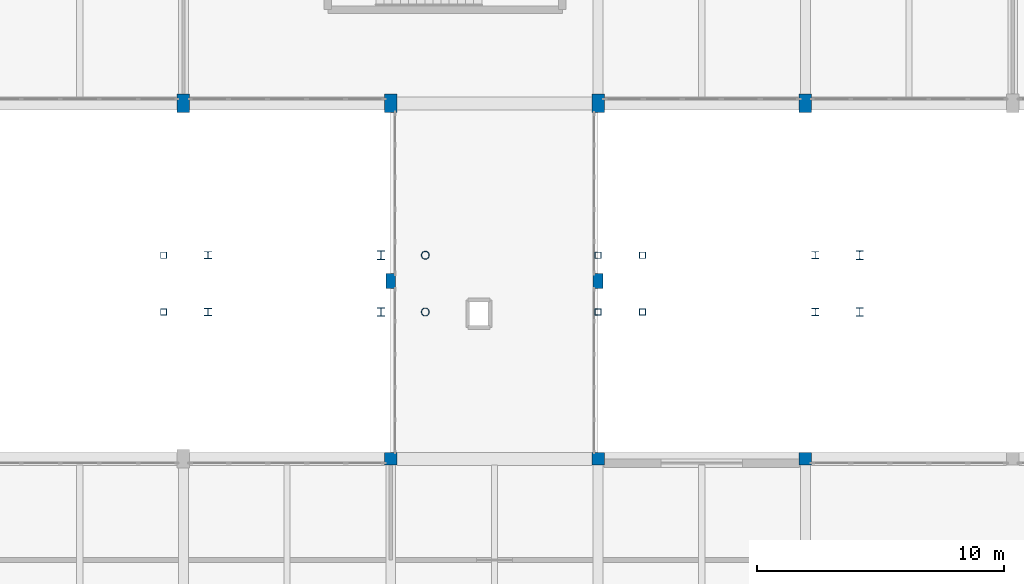
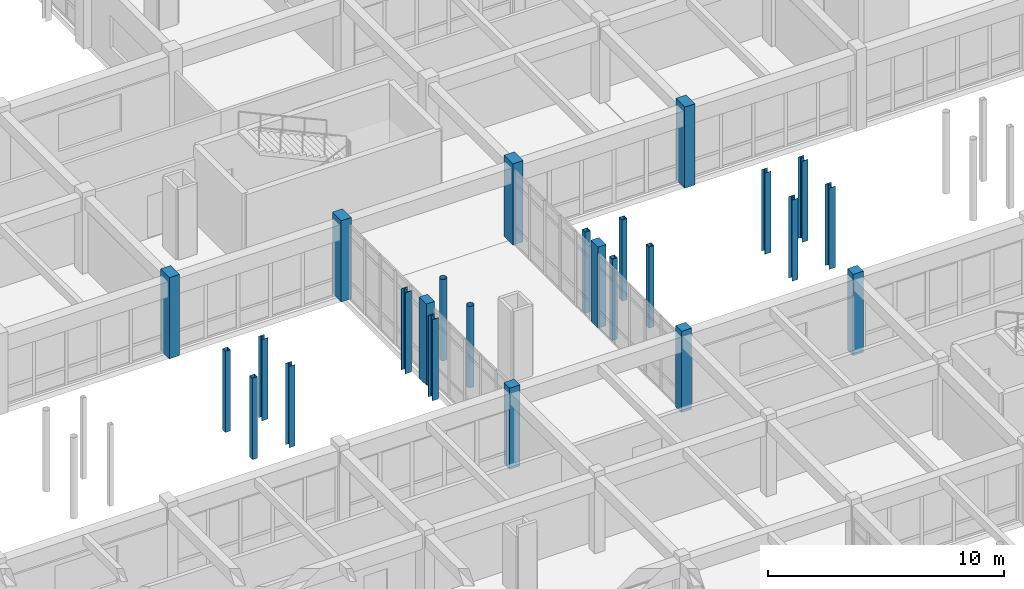
# One storey, part 19 of 147: 25 columns.
"""IFC4 building model written with IfcOpenShell, lengths in metres."""

import ifcopenshell
import ifcopenshell.guid

model = None  # the IFC model being written
_history = None  # IfcOwnerHistory: only IFC2X3 demands one
_inside = {}  # id of a spatial element -> (the spatial element, [elements in it])
_under = {}  # id of a project, library or spatial element -> (it, [spatial elements below it])
_declared = {}  # id of a project -> (the project, [libraries it declares])
_typed = {}  # id of a type object -> (the type object, [elements of that type])
_made_of = {}  # id of a material, layer set ... -> (it, [elements and type objects made of it])


def new_model(schema):
    """Start an empty IFC model of exactly this schema.

    Asked for "IFC4X3", IfcOpenShell would pick the latest addendum, in which some entities
    have other attributes; the version numbers below select the first issue.
    IFC2X3 requires an IfcOwnerHistory on every rooted entity: one is made here for all.
    """
    global model, _history
    if schema == "IFC4X3":
        model = ifcopenshell.file(schema_version=(4, 3, 0, 0))
    else:
        model = ifcopenshell.file(schema=schema)
    _inside.clear()
    _under.clear()
    _declared.clear()
    _typed.clear()
    _made_of.clear()
    _history = None
    if model.schema == "IFC2X3":
        org = make("IfcOrganization", Name="unknown")
        user = make(
            "IfcPersonAndOrganization",
            ThePerson=make("IfcPerson", FamilyName="unknown"),
            TheOrganization=org,
        )
        app = make(
            "IfcApplication",
            ApplicationDeveloper=org,
            Version="unknown",
            ApplicationFullName="unknown",
            ApplicationIdentifier="unknown",
        )
        _history = make(
            "IfcOwnerHistory",
            OwningUser=user,
            OwningApplication=app,
            ChangeAction="ADDED",
            CreationDate=0,
        )
    return model


def make(cls, **values):
    """One entity of the class cls with the attributes given. An attribute that is None is left unset."""
    return model.create_entity(
        cls, **{name: value for name, value in values.items() if value is not None}
    )


def rooted(cls, **values):
    """An entity with a GlobalId (a new one), such as an element, a storey or a relation."""
    return make(cls, GlobalId=ifcopenshell.guid.new(), OwnerHistory=_history, **values)


def si_unit(unit_type, name, prefix=None):
    """IfcSIUnit, for example si_unit("LENGTHUNIT", "METRE", prefix="MILLI")."""
    return make("IfcSIUnit", UnitType=unit_type, Prefix=prefix, Name=name)


def assignment(units):
    """IfcUnitAssignment: the units of a project."""
    return None if units is None else make("IfcUnitAssignment", Units=units)


def point(xyz):
    """IfcCartesianPoint."""
    return None if xyz is None else make("IfcCartesianPoint", Coordinates=xyz)


def direction(xyz):
    """IfcDirection."""
    return None if xyz is None else make("IfcDirection", DirectionRatios=xyz)


def frame(location, z_axis=None, x_axis=None):
    """IfcAxis2Placement3D, a coordinate frame: its origin and axes. An axis left out is left unset."""
    return make(
        "IfcAxis2Placement3D",
        Location=point(location),
        Axis=direction(z_axis),
        RefDirection=direction(x_axis),
    )


def frame_2d(location, x_axis=None):
    """IfcAxis2Placement2D, a coordinate frame in the plane: its origin and x axis."""
    return make(
        "IfcAxis2Placement2D", Location=point(location), RefDirection=direction(x_axis)
    )


def origin():
    """The frame at (0, 0, 0) with its axes left unset."""
    return frame((0.0, 0.0, 0.0))


def origin_2d():
    """The frame at (0, 0) in the plane with its x axis left unset."""
    return frame_2d((0.0, 0.0))


def place(relative_to, where):
    """IfcLocalPlacement: puts the frame where relative to a parent placement (None: the world)."""
    return make(
        "IfcLocalPlacement", PlacementRelTo=relative_to, RelativePlacement=where
    )


def context(
    kind, dimensions, precision=None, world=None, true_north=None, identifier=None
):
    """IfcGeometricRepresentationContext, for example the 3D "Model" context."""
    return make(
        "IfcGeometricRepresentationContext",
        ContextIdentifier=identifier,
        ContextType=kind,
        CoordinateSpaceDimension=dimensions,
        Precision=precision,
        WorldCoordinateSystem=world,
        TrueNorth=true_north,
    )


def subcontext(parent, identifier, kind, view, scale=None):
    """IfcGeometricRepresentationSubContext, for example "Body" below "Model"."""
    return make(
        "IfcGeometricRepresentationSubContext",
        ContextIdentifier=identifier,
        ContextType=kind,
        ParentContext=parent,
        TargetScale=scale,
        TargetView=view,
    )


def project(units=None, contexts=None):
    """IfcProject with its units and contexts."""
    return rooted(
        "IfcProject",
        Name="project",
        RepresentationContexts=contexts,
        UnitsInContext=assignment(units),
    )


def spatial(cls, under=None, at=None, **own):
    """A site, building, storey or space (cls), placed at a placement, below another one or the project."""
    s = rooted(cls, ObjectPlacement=at, **own)
    if under is not None:
        _under.setdefault(under.id(), (under, []))[1].append(s)
    return s


def profile(cls, at=None, kind="AREA", **sizes):
    """A parametric profile (cls). Its sizes go by their IFC names, for example OverallWidth=200.0."""
    return make(cls, ProfileType=kind, Position=at, **sizes)


def rectangle(**sizes):
    """IfcRectangleProfileDef."""
    return profile("IfcRectangleProfileDef", **sizes)


def hollow_rectangle(**sizes):
    """IfcRectangleHollowProfileDef."""
    return profile("IfcRectangleHollowProfileDef", **sizes)


def hollow_circle(**sizes):
    """IfcCircleHollowProfileDef."""
    return profile("IfcCircleHollowProfileDef", **sizes)


def i_section(**sizes):
    """IfcIShapeProfileDef."""
    return profile("IfcIShapeProfileDef", **sizes)


def extrude(swept, where, along, depth):
    """IfcExtrudedAreaSolid: the profile swept, set in the frame where, extruded along a direction by depth."""
    return make(
        "IfcExtrudedAreaSolid",
        SweptArea=swept,
        Position=where,
        ExtrudedDirection=direction(along),
        Depth=depth,
    )


def shape(context_of_items, identifier, shape_type, items):
    """IfcShapeRepresentation: the items that make up one representation, for example the "Body"."""
    return make(
        "IfcShapeRepresentation",
        ContextOfItems=context_of_items,
        RepresentationIdentifier=identifier,
        RepresentationType=shape_type,
        Items=items,
    )


def material(Name=None, Category=None):
    """IfcMaterial."""
    return make("IfcMaterial", Name=Name, Category=Category)


def material_profile(
    of_material, cross_section, Name=None, Category=None, Priority=None
):
    """IfcMaterialProfile: a cross section and its material."""
    return make(
        "IfcMaterialProfile",
        Name=Name,
        Material=of_material,
        Profile=cross_section,
        Priority=Priority,
        Category=Category,
    )


def profile_set(profiles, Name=None, composite=None):
    """IfcMaterialProfileSet."""
    return make(
        "IfcMaterialProfileSet",
        Name=Name,
        MaterialProfiles=profiles,
        CompositeProfile=composite,
    )


def made_of(thing, what):
    """Note that an element or type object is made of a material, layer set ...; save() writes the relation."""
    if what is not None:
        _made_of.setdefault(what.id(), (what, []))[1].append(thing)
    return thing


def type_object(cls, material=None, **own):
    """A type object (cls), such as IfcWallType, which elements share."""
    return made_of(rooted(cls, **own), material)


def element(
    cls,
    number,
    at=None,
    inside=None,
    cuts=None,
    type_object=None,
    material=None,
    context=None,
    identifier="Body",
    shape_type=None,
    held_by="IfcProductDefinitionShape",
    body=None,
    shapes=None,
    **own,
):
    """One element of the class cls, such as IfcWall. Its Tag is "e" and its number.

    at: its placement. inside: the storey or other place that contains it. cuts: it is an
    opening in that element (IfcRelVoidsElement). A single representation is given by context,
    identifier, shape_type and body (its items); several are given by shapes. held_by: the class
    of the entity that holds the representations. save() writes the other relations.
    """
    e = rooted(cls, Tag="e%d" % number, ObjectPlacement=at, **own)
    if body is not None:
        shapes = [shape(context, identifier, shape_type, body)]
    if shapes is not None:
        e.Representation = make(held_by, Representations=shapes)
    if inside is not None:
        _inside.setdefault(inside.id(), (inside, []))[1].append(e)
    if cuts is not None:
        rooted(
            "IfcRelVoidsElement", RelatingBuildingElement=cuts, RelatedOpeningElement=e
        )
    if type_object is not None:
        _typed.setdefault(type_object.id(), (type_object, []))[1].append(e)
    return made_of(e, material)


def aggregate(whole, parts):
    """IfcRelAggregates: a whole, such as a stair, and the parts it consists of."""
    return rooted("IfcRelAggregates", RelatingObject=whole, RelatedObjects=parts)


def save(model, path):
    """Write the relations noted so far, then the file.

    IfcRelAggregates (storeys below a building ...), IfcRelContainedInSpatialStructure (elements
    in a storey), IfcRelDefinesByType, IfcRelAssociatesMaterial and IfcRelDeclares: one each for
    every whole, place, type object, material and project.
    """
    for whole, parts in _under.values():
        aggregate(whole, parts)
    for where, things in _inside.values():
        rooted(
            "IfcRelContainedInSpatialStructure",
            RelatedElements=things,
            RelatingStructure=where,
        )
    for kind, things in _typed.values():
        rooted("IfcRelDefinesByType", RelatedObjects=things, RelatingType=kind)
    for what, things in _made_of.values():
        rooted("IfcRelAssociatesMaterial", RelatedObjects=things, RelatingMaterial=what)
    for by, libraries in _declared.values():
        rooted("IfcRelDeclares", RelatingContext=by, RelatedDefinitions=libraries)
    model.write(path)


model = new_model("IFC4")

# Units and contexts
model_context = context("Model", 3, precision=1e-05, world=origin(), true_north=direction((0.0, 1.0)))
body_context = subcontext(model_context, "Body", "Model", "MODEL_VIEW")
ifc_project = project(units=[si_unit("LENGTHUNIT", "METRE"), si_unit("AREAUNIT", "SQUARE_METRE"), si_unit("VOLUMEUNIT", "CUBIC_METRE"), si_unit("PLANEANGLEUNIT", "RADIAN"), si_unit("MASSUNIT", "GRAM", prefix="KILO")], contexts=[model_context])

# Site, building, storey
site_placement = place(None, origin())
site = spatial("IfcSite", under=ifc_project, at=site_placement, CompositionType="ELEMENT")
building_placement = place(site_placement, origin())
building = spatial("IfcBuilding", under=site, at=building_placement, Name="Malvenik Polytechnic", CompositionType="ELEMENT")
storey_placement = place(building_placement, frame((0.0, 0.0, 5.10009765625)))
storey = spatial("IfcBuildingStorey", under=building, at=storey_placement, Name="L01", CompositionType="ELEMENT", Elevation=5.10009765625)

# Columns
ifc_material_1 = material(Name="Concrete C35/45", Category="concrete")
ifc_material_profile_1 = material_profile(ifc_material_1, rectangle(XDim=0.5, YDim=0.5, at=origin_2d()), Name="RC COL 500x500")
ifc_profile_set_1 = profile_set([ifc_material_profile_1], Name="Concrete C35/45")
column_type_1 = type_object("IfcColumnType", Name="STR-COL-C-08", PredefinedType="COLUMN", material=ifc_profile_set_1)
for number, where, z_axis, x_axis, name in (
    (1, (75.60009765625, 64.800048828125, 0.0), (0.0, 0.0, 1.0), (1.0, 0.0, 0.0), "Column C-08 L01 (75.6,64.8)"),
    (2, (84.0, 64.800048828125, 0.0), (0.0, 0.0, 1.0), (1.0, 0.0, 0.0), "Column C-08 L01 (84.0,64.8)"),
    (3, (92.39990234375, 64.800048828125, 0.0), (0.0, 0.0, 1.0), (1.0, 0.0, 0.0), "Column C-08 L01 (92.4,64.8)"),
):
    element("IfcColumn", number, at=place(storey_placement, frame(where, z_axis=z_axis, x_axis=x_axis)), inside=storey, type_object=column_type_1, Name=name, PredefinedType="COLUMN", context=body_context, shape_type="SweptSolid", body=[
        extrude(rectangle(XDim=0.5, YDim=0.5, at=origin_2d()), origin(), (0.0, 0.0, 1.0), 4.199951171875),
    ])
ifc_material_profile_2 = material_profile(ifc_material_1, rectangle(XDim=0.5, YDim=0.75, at=origin_2d()), Name="RC COL 750x500")
ifc_profile_set_2 = profile_set([ifc_material_profile_2], Name="Concrete C35/45")
column_type_2 = type_object("IfcColumnType", Name="STR-COL-C-14", PredefinedType="COLUMN", material=ifc_profile_set_2)
for number, where, z_axis, x_axis, name in (
    (4, (67.199951171875, 79.199951171875, 0.0), (0.0, 0.0, 1.0), (1.0, 0.0, 0.0), "Column C-14 L01 (67.2,79.2)"),
    (5, (75.60009765625, 79.199951171875, 0.0), (0.0, 0.0, 1.0), (1.0, 0.0, 0.0), "Column C-14 L01 (75.6,79.2)"),
    (6, (84.0, 79.199951171875, 0.0), (0.0, 0.0, 1.0), (1.0, 0.0, 0.0), "Column C-14 L01 (84.0,79.2)"),
    (7, (92.39990234375, 79.199951171875, 0.0), (0.0, 0.0, 1.0), (1.0, 0.0, 0.0), "Column C-14 L01 (92.4,79.2)"),
):
    element("IfcColumn", number, at=place(storey_placement, frame(where, z_axis=z_axis, x_axis=x_axis)), inside=storey, type_object=column_type_2, Name=name, PredefinedType="COLUMN", context=body_context, shape_type="SweptSolid", body=[
        extrude(rectangle(XDim=0.5, YDim=0.75, at=origin_2d()), origin(), (0.0, 0.0, 1.0), 4.199951171875),
    ])
ifc_material_profile_3 = material_profile(ifc_material_1, rectangle(XDim=0.39990234375, YDim=0.60009765625, at=origin_2d()), Name="RC COL 600x400")
ifc_profile_set_3 = profile_set([ifc_material_profile_3], Name="Concrete C35/45")
column_type_3 = type_object("IfcColumnType", Name="STR-COL-C-15", PredefinedType="COLUMN", material=ifc_profile_set_3)
for number, where, z_axis, x_axis, name in (
    (8, (75.60009765625, 72.0, 0.0), (0.0, 0.0, 1.0), (1.0, 0.0, 0.0), "Column C-15 L01 (75.6,72.0)"),
    (9, (84.0, 72.0, 0.0), (0.0, 0.0, 1.0), (1.0, 0.0, 0.0), "Column C-15 L01 (84.0,72.0)"),
):
    element("IfcColumn", number, at=place(storey_placement, frame(where, z_axis=z_axis, x_axis=x_axis)), inside=storey, type_object=column_type_3, Name=name, PredefinedType="COLUMN", context=body_context, shape_type="SweptSolid", body=[
        extrude(rectangle(XDim=0.39990234375, YDim=0.60009765625, at=origin_2d()), origin(), (0.0, 0.0, 1.0), 4.199951171875),
    ])
ifc_material_2 = material(Name="Steel S355J2H", Category="steel")
ifc_material_profile_4 = material_profile(ifc_material_2, hollow_rectangle(XDim=0.25, YDim=0.25, WallThickness=0.010009765625, at=origin_2d()), Name="SHS 250x250x10.0")
ifc_profile_set_4 = profile_set([ifc_material_profile_4], Name="Steel S355J2H")
column_type_4 = type_object("IfcColumnType", Name="STR-SCOL-SC-01", PredefinedType="COLUMN", material=ifc_profile_set_4)
for number, where, z_axis, x_axis, name in (
    (10, (85.800048828125, 70.75, 0.0), (0.0, 0.0, 1.0), (1.0, 0.0, 0.0), "Bridge-Ramp Support Column SC-01 L01"),
    (11, (85.800048828125, 73.050048828125, 0.0), (0.0, 0.0, 1.0), (1.0, 0.0, 0.0), "Bridge-Ramp Support Column SC-01 L01"),
    (12, (84.0, 70.75, 0.0), (0.0, 0.0, 1.0), (1.0, 0.0, 0.0), "Bridge-Ramp Support Column SC-01 L01"),
    (13, (84.0, 73.050048828125, 0.0), (0.0, 0.0, 1.0), (1.0, 0.0, 0.0), "Bridge-Ramp Support Column SC-01 L01"),
    (14, (66.39990234375, 70.75, 0.0), (0.0, 0.0, 1.0), (1.0, 0.0, 0.0), "Bridge-Ramp Support Column SC-01 L01"),
    (15, (66.39990234375, 73.050048828125, 0.0), (0.0, 0.0, 1.0), (1.0, 0.0, 0.0), "Bridge-Ramp Support Column SC-01 L01"),
):
    element("IfcColumn", number, at=place(storey_placement, frame(where, z_axis=z_axis, x_axis=x_axis)), inside=storey, type_object=column_type_4, Name=name, PredefinedType="COLUMN", context=body_context, shape_type="SweptSolid", body=[
        extrude(hollow_rectangle(XDim=0.25, YDim=0.25, WallThickness=0.010009765625, at=origin_2d()), origin(), (0.0, 0.0, 1.0), 4.199951171875),
    ])
ifc_material_3 = material(Name="Steel S355", Category="steel")
ifc_material_profile_5 = material_profile(ifc_material_3, i_section(OverallWidth=0.300048828125, OverallDepth=0.360107421875, WebThickness=0.012451171875, FlangeThickness=0.0224609375, FilletRadius=0.027099609375, at=origin_2d()), Name="HEB 360")
ifc_profile_set_5 = profile_set([ifc_material_profile_5], Name="Steel S355")
column_type_5 = type_object("IfcColumnType", Name="STR-SCOL-SC-03", PredefinedType="COLUMN", material=ifc_profile_set_5)
for number, where, z_axis, x_axis, name in (
    (16, (94.60009765625, 70.75, 0.0), (0.0, 0.0, 1.0), (1.0, 0.0, 0.0), "Bridge-Ramp Support Column SC-03 L01"),
    (17, (94.60009765625, 73.050048828125, 0.0), (0.0, 0.0, 1.0), (1.0, 0.0, 0.0), "Bridge-Ramp Support Column SC-03 L01"),
    (18, (75.199951171875, 70.75, 0.0), (0.0, 0.0, 1.0), (1.0, 0.0, 0.0), "Bridge-Ramp Support Column SC-03 L01"),
    (19, (75.199951171875, 73.050048828125, 0.0), (0.0, 0.0, 1.0), (1.0, 0.0, 0.0), "Bridge-Ramp Support Column SC-03 L01"),
):
    element("IfcColumn", number, at=place(storey_placement, frame(where, z_axis=z_axis, x_axis=x_axis)), inside=storey, type_object=column_type_5, Name=name, PredefinedType="COLUMN", context=body_context, shape_type="SweptSolid", body=[
        extrude(i_section(OverallWidth=0.300048828125, OverallDepth=0.360107421875, WebThickness=0.012451171875, FlangeThickness=0.0224609375, FilletRadius=0.027099609375, at=origin_2d()), origin(), (0.0, 0.0, 1.0), 4.199951171875),
    ])
ifc_material_profile_6 = material_profile(ifc_material_2, hollow_circle(Radius=0.161865234375, WallThickness=0.012451171875, at=origin_2d()), Name="CHS 323.9x12.5")
ifc_profile_set_6 = profile_set([ifc_material_profile_6], Name="Steel S355J2H")
column_type_6 = type_object("IfcColumnType", Name="STR-SCOL-SC-04", PredefinedType="COLUMN", material=ifc_profile_set_6)
for number, where, z_axis, x_axis, name in (
    (20, (77.0, 70.75, 0.0), (0.0, 0.0, 1.0), (1.0, 0.0, 0.0), "Bridge-Ramp Support Column SC-04 L01"),
    (21, (77.0, 73.050048828125, 0.0), (0.0, 0.0, 1.0), (1.0, 0.0, 0.0), "Bridge-Ramp Support Column SC-04 L01"),
):
    element("IfcColumn", number, at=place(storey_placement, frame(where, z_axis=z_axis, x_axis=x_axis)), inside=storey, type_object=column_type_6, Name=name, PredefinedType="COLUMN", context=body_context, shape_type="SweptSolid", body=[
        extrude(hollow_circle(Radius=0.161865234375, WallThickness=0.012451171875, at=origin_2d()), origin(), (0.0, 0.0, 1.0), 4.199951171875),
    ])
ifc_material_profile_7 = material_profile(ifc_material_3, i_section(OverallWidth=0.300048828125, OverallDepth=0.300048828125, WebThickness=0.010986328125, FlangeThickness=0.01904296875, FilletRadius=0.027099609375, at=origin_2d()), Name="HEB 300")
ifc_profile_set_7 = profile_set([ifc_material_profile_7], Name="Steel S355")
column_type_7 = type_object("IfcColumnType", Name="STR-SCOL-SC-05", PredefinedType="COLUMN", material=ifc_profile_set_7)
for number, where, z_axis, x_axis, name in (
    (22, (92.800048828125, 70.75, 0.0), (0.0, 0.0, 1.0), (1.0, 0.0, 0.0), "Bridge-Ramp Support Column SC-05 L01"),
    (23, (92.800048828125, 73.050048828125, 0.0), (0.0, 0.0, 1.0), (1.0, 0.0, 0.0), "Bridge-Ramp Support Column SC-05 L01"),
    (24, (68.199951171875, 70.75, 0.0), (0.0, 0.0, 1.0), (1.0, 0.0, 0.0), "Bridge-Ramp Support Column SC-05 L01"),
    (25, (68.199951171875, 73.050048828125, 0.0), (0.0, 0.0, 1.0), (1.0, 0.0, 0.0), "Bridge-Ramp Support Column SC-05 L01"),
):
    element("IfcColumn", number, at=place(storey_placement, frame(where, z_axis=z_axis, x_axis=x_axis)), inside=storey, type_object=column_type_7, Name=name, PredefinedType="COLUMN", context=body_context, shape_type="SweptSolid", body=[
        extrude(i_section(OverallWidth=0.300048828125, OverallDepth=0.300048828125, WebThickness=0.010986328125, FlangeThickness=0.01904296875, FilletRadius=0.027099609375, at=origin_2d()), origin(), (0.0, 0.0, 1.0), 4.199951171875),
    ])

save(model, "model.ifc")
